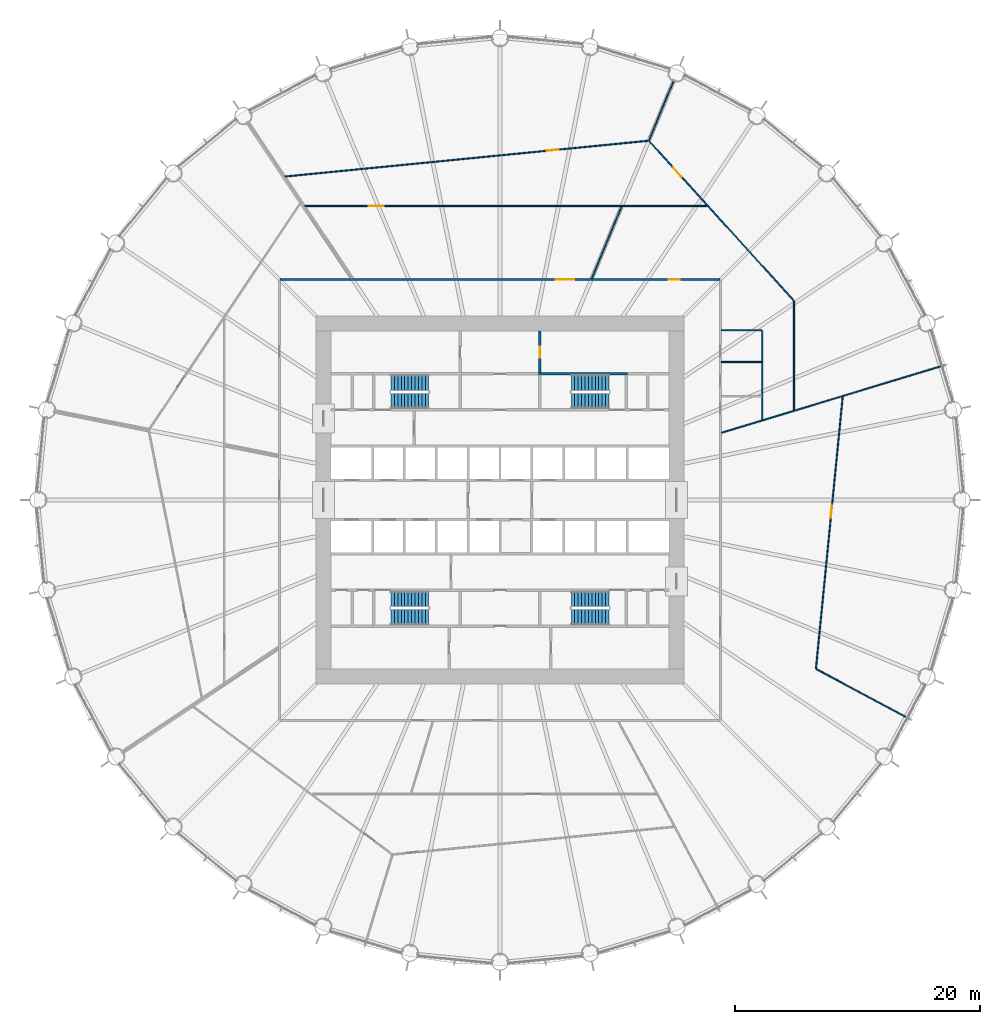
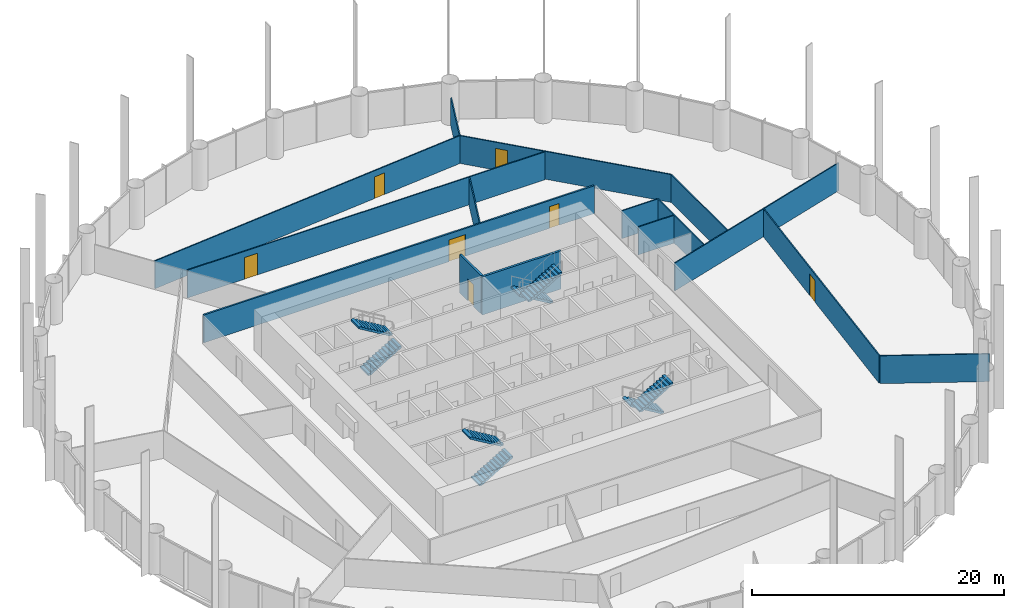
# One storey, part 12 of 14: 15 walls, 8 stair flights, 7 doors, 7 openings, 4 elements without a shape of their own.
"""IFC4 building model written with IfcOpenShell, lengths in metres."""

from ifc_helpers import new_model, si_unit, direction, frame, frame_2d, origin, place, context, subcontext, project, spatial, polyline, rectangle, outline, extrude, material, layer, layer_set, type_object, element, fill, aggregate, save


model = new_model("IFC4")

# Units and contexts
model_context = context("Model", 3, precision=1e-05, world=origin(), true_north=direction((0.0, 1.0)))
body_context = subcontext(model_context, "Body", "Model", "MODEL_VIEW")
ifc_project = project(units=[si_unit("LENGTHUNIT", "METRE"), si_unit("AREAUNIT", "SQUARE_METRE"), si_unit("VOLUMEUNIT", "CUBIC_METRE"), si_unit("PLANEANGLEUNIT", "RADIAN"), si_unit("MASSUNIT", "GRAM", prefix="KILO")], contexts=[model_context])

# Site, building, storey
site_placement = place(None, origin())
site = spatial("IfcSite", under=ifc_project, at=site_placement, CompositionType="ELEMENT")
building_placement = place(site_placement, origin())
building = spatial("IfcBuilding", under=site, at=building_placement, Name="Corvane Civic Tower", CompositionType="ELEMENT")
storey_placement = place(building_placement, frame((0.0, 0.0, 53.0)))
storey = spatial("IfcBuildingStorey", under=building, at=storey_placement, Name="L11", CompositionType="ELEMENT", Elevation=53.0)

# Wall, opening, door
ifc_material_1 = material(Name="Concrete C30/37", Category="concrete")
ifc_layer_1 = layer(ifc_material_1, 0.199951171875)
ifc_layer_set_1 = layer_set([ifc_layer_1], Name="Concrete C30/37")
wall_type_1 = type_object("IfcWallType", Name="CR-WALL-200", PredefinedType="PARTITIONING", material=ifc_layer_set_1)
wall_1_placement = place(storey_placement, frame((3.25, 10.39990234375, 0.0), z_axis=(0.0, 0.0, 1.0), x_axis=(0.0, 1.0, 0.0)))
wall_1 = element("IfcWall", 1, at=wall_1_placement, inside=storey, type_object=wall_type_1, Name="L11 partition wall", PredefinedType="PARTITIONING", context=body_context, shape_type="SweptSolid", body=[
    extrude(rectangle(XDim=3.400146484375, YDim=0.199951171875, at=frame_2d((1.7001953125, 0.0))), origin(), (0.0, 0.0, 1.0), 3.699951171875),
])
opening_1_placement = place(wall_1_placement, frame((1.199951171875, 0.0, 0.0)))
opening_1 = element("IfcOpeningElement", 2, at=opening_1_placement, cuts=wall_1, Name="Opening L11.C06", PredefinedType="OPENING", context=body_context, shape_type="SweptSolid", body=[
    extrude(rectangle(XDim=0.89990234375, YDim=2.10009765625, at=frame_2d((0.449951171875, 1.050048828125))), frame((0.0, 0.10986328125, 0.0), z_axis=(0.0, -1.0, 0.0), x_axis=(1.0, 0.0, 0.0)), (0.0, 0.0, 1.0), 0.219970703125),
])
ifc_material_2 = material(Name="Steel fire door leaf", Category="steel")
door_type_1 = type_object("IfcDoorType", Name="CR-DOOR-900", OperationType="SINGLE_SWING_LEFT", PredefinedType="DOOR", material=ifc_material_2)
door_1_placement = place(opening_1_placement, origin())
door_1 = element("IfcDoor", 3, at=door_1_placement, inside=storey, type_object=door_type_1, Name="L11 door", OperationType="SINGLE_SWING_LEFT", OverallHeight=2.10009765625, OverallWidth=0.89990234375, PredefinedType="DOOR", context=body_context, shape_type="SweptSolid", body=[
    extrude(rectangle(XDim=0.89990234375, YDim=2.10009765625, at=frame_2d((0.449951171875, 1.050048828125))), frame((0.0, 0.02490234375, 0.0), z_axis=(0.0, -1.0, 0.0), x_axis=(1.0, 0.0, 0.0)), (0.0, 0.0, 1.0), 0.050048828125),
])
fill(opening_1, door_1)

# Wall
ifc_material_3 = material(Name="Plasterboard")
ifc_layer_2 = layer(ifc_material_3, 0.10009765625)
ifc_layer_set_2 = layer_set([ifc_layer_2], Name="Plasterboard")
wall_type_2 = type_object("IfcWallType", Name="Partition 100 plasterboard on studs", PredefinedType="PARTITIONING", material=ifc_layer_set_2)
wall_2_placement = place(storey_placement, frame((25.816650390625, -13.79931640625, 0.0), z_axis=(0.0, 0.0, 1.0), x_axis=(0.881917954485, -0.471402929092, 0.0)))
element("IfcWall", 4, at=wall_2_placement, inside=storey, type_object=wall_type_2, Name="Partition L11.011", PredefinedType="PARTITIONING", context=body_context, shape_type="SweptSolid", body=[
    extrude(rectangle(XDim=8.677001953125, YDim=0.10009765625, at=frame_2d((4.33837890625, 0.0))), origin(), (0.0, 0.0, 1.0), 2.699951171875),
])

# Wall, opening, door
wall_3_placement = place(storey_placement, frame((25.790283203125, -13.750244140625, 0.0), z_axis=(0.0, 0.0, 1.0), x_axis=(0.098025320234, 0.995183920988, 0.0)))
wall_3 = element("IfcWall", 5, at=wall_3_placement, inside=storey, type_object=wall_type_2, Name="Partition L11.014", PredefinedType="PARTITIONING", context=body_context, shape_type="SweptSolid", body=[
    extrude(rectangle(XDim=22.270751953125, YDim=0.10009765625, at=frame_2d((11.13525390625, 0.0))), origin(), (0.0, 0.0, 1.0), 2.699951171875),
])
opening_2_placement = place(wall_3_placement, frame((12.360107421875, 0.0, 0.0)))
opening_2 = element("IfcOpeningElement", 6, at=opening_2_placement, cuts=wall_3, Name="Opening L11.009", PredefinedType="OPENING", context=body_context, shape_type="SweptSolid", body=[
    extrude(rectangle(XDim=1.0, YDim=2.10009765625, at=frame_2d((0.5, 1.050048828125))), frame((0.0, 0.06005859375, 0.0), z_axis=(0.0, -1.0, 0.0), x_axis=(1.0, 0.0, 0.0)), (0.0, 0.0, 1.0), 0.1201171875),
])
ifc_material_4 = material(Name="Timber", Category="wood")
door_type_2 = type_object("IfcDoorType", Name="Single door 1000", OperationType="NOTDEFINED", PredefinedType="DOOR", material=ifc_material_4)
door_2_placement = place(opening_2_placement, frame((1.0, 0.0, 0.0), z_axis=(0.0, 0.0, 1.0), x_axis=(-1.0, 0.0, 0.0)))
door_2 = element("IfcDoor", 7, at=door_2_placement, inside=storey, type_object=door_type_2, Name="Door L11.009", OperationType="SINGLE_SWING_RIGHT", OverallHeight=2.10009765625, OverallWidth=1.0, PredefinedType="DOOR", context=body_context, shape_type="SweptSolid", body=[
    extrude(rectangle(XDim=1.0, YDim=2.10009765625, at=frame_2d((0.5, 1.050048828125))), frame((0.0, 0.02490234375, 0.0), z_axis=(0.0, -1.0, 0.0), x_axis=(1.0, 0.0, 0.0)), (0.0, 0.0, 1.0), 0.050048828125),
])
fill(opening_2, door_2)

# Walls
wall_4_placement = place(storey_placement, frame((18.089599609375, 5.4873046875, 0.0), z_axis=(0.0, 0.0, 1.0), x_axis=(0.956939089539, 0.290288785373, 0.0)))
element("IfcWall", 8, at=wall_4_placement, inside=storey, type_object=wall_type_2, Name="Partition L11.016", PredefinedType="PARTITIONING", context=body_context, shape_type="SweptSolid", body=[
    extrude(rectangle(XDim=19.046630859375, YDim=0.10009765625, at=frame_2d((9.5234375, 0.0))), origin(), (0.0, 0.0, 1.0), 2.699951171875),
])
wall_5_placement = place(storey_placement, frame((21.39990234375, 6.55908203125, 0.0), z_axis=(0.0, 0.0, 1.0), x_axis=(0.0, 1.0, 0.0)))
element("IfcWall", 9, at=wall_5_placement, inside=storey, type_object=wall_type_2, Name="Partition L11.019", PredefinedType="PARTITIONING", context=body_context, shape_type="SweptSolid", body=[
    extrude(rectangle(XDim=7.251220703125, YDim=0.10009765625, at=frame_2d((3.62548828125, 0.0))), origin(), (0.0, 0.0, 1.0), 2.699951171875),
])
wall_6_placement = place(storey_placement, frame((24.0, 7.34765625, 0.0), z_axis=(0.0, 0.0, 1.0), x_axis=(0.0, 1.0, 0.0)))
element("IfcWall", 10, at=wall_6_placement, inside=storey, type_object=wall_type_2, Name="Partition L11.020", PredefinedType="PARTITIONING", context=body_context, shape_type="SweptSolid", body=[
    extrude(rectangle(XDim=8.88232421875, YDim=0.10009765625, at=frame_2d((4.441162109375, 0.0))), origin(), (0.0, 0.0, 1.0), 2.699951171875),
])
for number, where, z_axis, x_axis, name in (
    (11, (18.074951171875, 11.26025390625, 0.0), (0.0, 0.0, 1.0), (1.0, 0.0, 0.0), "Partition L11.022"),
    (12, (18.074951171875, 13.860107421875, 0.0), (0.0, 0.0, 1.0), (1.0, 0.0, 0.0), "Partition L11.023"),
):
    element("IfcWall", number, at=place(storey_placement, frame(where, z_axis=z_axis, x_axis=x_axis)), inside=storey, type_object=wall_type_2, Name=name, PredefinedType="PARTITIONING", context=body_context, shape_type="SweptSolid", body=[
        extrude(rectangle(XDim=3.275146484375, YDim=0.10009765625, at=frame_2d((1.6376953125, 0.0))), origin(), (0.0, 0.0, 1.0), 2.699951171875),
    ])

# Wall, opening, door
wall_7_placement = place(storey_placement, frame((12.168701171875, 29.302978515625, 0.0), z_axis=(0.0, 0.0, 1.0), x_axis=(0.67155893735, -0.740951141213, 0.0)))
wall_7 = element("IfcWall", 13, at=wall_7_placement, inside=storey, type_object=wall_type_2, Name="Partition L11.024", PredefinedType="PARTITIONING", context=body_context, shape_type="SweptSolid", body=[
    extrude(rectangle(XDim=17.598388671875, YDim=0.10009765625, at=frame_2d((8.79931640625, 0.0))), origin(), (0.0, 0.0, 1.0), 2.699951171875),
])
opening_3_placement = place(wall_7_placement, frame((2.9453125, 0.0, 0.0)))
opening_3 = element("IfcOpeningElement", 14, at=opening_3_placement, cuts=wall_7, Name="Opening L11.002", PredefinedType="OPENING", context=body_context, shape_type="SweptSolid", body=[
    extrude(rectangle(XDim=1.0, YDim=2.10009765625, at=frame_2d((0.5, 1.050048828125))), frame((0.0, 0.06005859375, 0.0), z_axis=(0.0, -1.0, 0.0), x_axis=(1.0, 0.0, 0.0)), (0.0, 0.0, 1.0), 0.1201171875),
])
door_3_placement = place(opening_3_placement, origin())
door_3 = element("IfcDoor", 15, at=door_3_placement, inside=storey, type_object=door_type_2, Name="Door L11.002", OperationType="SINGLE_SWING_LEFT", OverallHeight=2.10009765625, OverallWidth=1.0, PredefinedType="DOOR", context=body_context, shape_type="SweptSolid", body=[
    extrude(rectangle(XDim=1.0, YDim=2.10009765625, at=frame_2d((0.5, 1.050048828125))), frame((0.0, 0.02490234375, 0.0), z_axis=(0.0, -1.0, 0.0), x_axis=(1.0, 0.0, 0.0)), (0.0, 0.0, 1.0), 0.050048828125),
])
fill(opening_3, door_3)

# Wall
wall_8_placement = place(storey_placement, frame((7.494873046875, 18.093994140625, 0.0), z_axis=(0.0, 0.0, 1.0), x_axis=(0.382682843627, 0.923879776374, 0.0)))
element("IfcWall", 16, at=wall_8_placement, inside=storey, type_object=wall_type_2, Name="Partition L11.026", PredefinedType="PARTITIONING", context=body_context, shape_type="SweptSolid", body=[
    extrude(rectangle(XDim=6.31787109375, YDim=0.10009765625, at=frame_2d((3.158935546875, 0.0))), origin(), (0.0, 0.0, 1.0), 2.699951171875),
])

# Wall, opening, door
wall_9_placement = place(storey_placement, frame((-15.942626953125, 24.0, 0.0), z_axis=(0.0, 0.0, 1.0), x_axis=(1.0, 0.0, 0.0)))
wall_9 = element("IfcWall", 17, at=wall_9_placement, inside=storey, type_object=wall_type_2, Name="Partition L11.028", PredefinedType="PARTITIONING", context=body_context, shape_type="SweptSolid", body=[
    extrude(rectangle(XDim=32.804931640625, YDim=0.10009765625, at=frame_2d((16.40234375, 0.0))), origin(), (0.0, 0.0, 1.0), 2.699951171875),
])
opening_4_placement = place(wall_9_placement, frame((5.2353515625, 0.0, 0.0)))
opening_4 = element("IfcOpeningElement", 18, at=opening_4_placement, cuts=wall_9, Name="Opening L11.003", PredefinedType="OPENING", context=body_context, shape_type="SweptSolid", body=[
    extrude(rectangle(XDim=1.199951171875, YDim=2.10009765625, at=frame_2d((0.60009765625, 1.050048828125))), frame((0.0, 0.06005859375, 0.0), z_axis=(0.0, -1.0, 0.0), x_axis=(1.0, 0.0, 0.0)), (0.0, 0.0, 1.0), 0.1201171875),
])
ifc_material_5 = material(Name="Timber", Category="wood")
door_type_3 = type_object("IfcDoorType", Name="Double door 1200", OperationType="NOTDEFINED", PredefinedType="DOOR", material=ifc_material_5)
door_4_placement = place(opening_4_placement, origin())
door_4 = element("IfcDoor", 19, at=door_4_placement, inside=storey, type_object=door_type_3, Name="Door L11.003", OperationType="DOUBLE_DOOR_SINGLE_SWING", OverallHeight=2.10009765625, OverallWidth=1.199951171875, PredefinedType="DOOR", context=body_context, shape_type="SweptSolid", body=[
    extrude(rectangle(XDim=1.199951171875, YDim=2.10009765625, at=frame_2d((0.60009765625, 1.050048828125))), frame((0.0, 0.02490234375, 0.0), z_axis=(0.0, -1.0, 0.0), x_axis=(1.0, 0.0, 0.0)), (0.0, 0.0, 1.0), 0.050048828125),
])
fill(opening_4, door_4)

wall_10_placement = place(storey_placement, frame((-17.55224609375, 26.401123046875, 0.0), z_axis=(0.0, 0.0, 1.0), x_axis=(0.995184297926, 0.098021493369, 0.0)))
wall_10 = element("IfcWall", 20, at=wall_10_placement, inside=storey, type_object=wall_type_2, Name="Partition L11.029", PredefinedType="PARTITIONING", context=body_context, shape_type="SweptSolid", body=[
    extrude(rectangle(XDim=29.8134765625, YDim=0.10009765625, at=frame_2d((14.90673828125, 0.0))), origin(), (0.0, 0.0, 1.0), 2.699951171875),
])
opening_5_placement = place(wall_10_placement, frame((21.461669921875, 0.0, 0.0)))
opening_5 = element("IfcOpeningElement", 21, at=opening_5_placement, cuts=wall_10, Name="Opening L11.001", PredefinedType="OPENING", context=body_context, shape_type="SweptSolid", body=[
    extrude(rectangle(XDim=1.0, YDim=2.10009765625, at=frame_2d((0.5, 1.050048828125))), frame((0.0, 0.06005859375, 0.0), z_axis=(0.0, -1.0, 0.0), x_axis=(1.0, 0.0, 0.0)), (0.0, 0.0, 1.0), 0.1201171875),
])
door_5_placement = place(opening_5_placement, origin())
door_5 = element("IfcDoor", 22, at=door_5_placement, inside=storey, type_object=door_type_2, Name="Door L11.001", OperationType="SINGLE_SWING_LEFT", OverallHeight=2.10009765625, OverallWidth=1.0, PredefinedType="DOOR", context=body_context, shape_type="SweptSolid", body=[
    extrude(rectangle(XDim=1.0, YDim=2.10009765625, at=frame_2d((0.5, 1.050048828125))), frame((0.0, 0.02490234375, 0.0), z_axis=(0.0, -1.0, 0.0), x_axis=(1.0, 0.0, 0.0)), (0.0, 0.0, 1.0), 0.050048828125),
])
fill(opening_5, door_5)

# Walls
wall_11_placement = place(storey_placement, frame((12.159423828125, 29.355712890625, 0.0), z_axis=(0.0, 0.0, 1.0), x_axis=(0.382710078271, 0.923868494965, 0.0)))
element("IfcWall", 23, at=wall_11_placement, inside=storey, type_object=wall_type_2, Name="Partition L11.030", PredefinedType="PARTITIONING", context=body_context, shape_type="SweptSolid", body=[
    extrude(rectangle(XDim=5.215576171875, YDim=0.10009765625, at=frame_2d((2.60791015625, 0.0))), origin(), (0.0, 0.0, 1.0), 2.699951171875),
])
ifc_material_6 = material(Name="Concrete C50/60", Category="concrete")
ifc_layer_3 = layer(ifc_material_6, 0.199951171875)
ifc_layer_set_3 = layer_set([ifc_layer_3], Name="Concrete C50/60")
wall_type_3 = type_object("IfcWallType", Name="ST-WALL-200", PredefinedType="SHEAR", material=ifc_layer_set_3)
wall_12_placement = place(storey_placement, origin())
element("IfcWall", 24, at=wall_12_placement, inside=storey, type_object=wall_type_3, Name="L11 stair enclosure wall", PredefinedType="SHEAR", context=body_context, shape_type="SweptSolid", body=[
    extrude(outline(polyline([(10.39990234375, 10.199951171875), (3.14990234375, 10.199951171875), (3.14990234375, 10.39990234375), (10.39990234375, 10.39990234375), (10.39990234375, 10.199951171875)])), origin(), (0.0, 0.0, 1.0), 3.699951171875),
])

# Wall, openings, doors
ifc_material_7 = material(Name="Plasterboard")
ifc_layer_4 = layer(ifc_material_7, 0.14990234375)
ifc_layer_set_4 = layer_set([ifc_layer_4], Name="Plasterboard")
wall_type_4 = type_object("IfcWallType", Name="Tenancy wall 150 EI 60", PredefinedType="PARTITIONING", material=ifc_layer_set_4)
wall_13_placement = place(storey_placement, frame((-17.925048828125, 18.0, 0.0), z_axis=(0.0, 0.0, 1.0), x_axis=(1.0, 0.0, 0.0)))
wall_13 = element("IfcWall", 25, at=wall_13_placement, inside=storey, type_object=wall_type_4, Name="Partition L11.025", PredefinedType="PARTITIONING", context=body_context, shape_type="SweptSolid", body=[
    extrude(rectangle(XDim=35.85009765625, YDim=0.14990234375, at=frame_2d((17.925048828125, 0.0))), origin(), (0.0, 0.0, 1.0), 2.699951171875),
])
opening_6_placement = place(wall_13_placement, frame((22.4951171875, 0.0, 0.0)))
opening_6 = element("IfcOpeningElement", 26, at=opening_6_placement, cuts=wall_13, Name="Opening L11.004", PredefinedType="OPENING", context=body_context, shape_type="SweptSolid", body=[
    extrude(rectangle(XDim=1.5, YDim=2.10009765625, at=frame_2d((0.75, 1.050048828125))), frame((0.0, 0.0849609375, 0.0), z_axis=(0.0, -1.0, 0.0), x_axis=(1.0, 0.0, 0.0)), (0.0, 0.0, 1.0), 0.169921875),
])
opening_7_placement = place(wall_13_placement, frame((31.700927734375, 0.0, 0.0)))
opening_7 = element("IfcOpeningElement", 27, at=opening_7_placement, cuts=wall_13, Name="Opening L11.005", PredefinedType="OPENING", context=body_context, shape_type="SweptSolid", body=[
    extrude(rectangle(XDim=0.89990234375, YDim=2.10009765625, at=frame_2d((0.449951171875, 1.050048828125))), frame((0.0, 0.0849609375, 0.0), z_axis=(0.0, -1.0, 0.0), x_axis=(1.0, 0.0, 0.0)), (0.0, 0.0, 1.0), 0.169921875),
])
ifc_material_8 = material(Name="Steel and timber", Category="steel")
door_type_4 = type_object("IfcDoorType", Name="Fire door FD30S 900", OperationType="NOTDEFINED", PredefinedType="DOOR", material=ifc_material_8)
door_6_placement = place(opening_7_placement, origin())
door_6 = element("IfcDoor", 28, at=door_6_placement, inside=storey, type_object=door_type_4, Name="Door L11.005", OperationType="SINGLE_SWING_LEFT", OverallHeight=2.10009765625, OverallWidth=0.89990234375, PredefinedType="DOOR", context=body_context, shape_type="SweptSolid", body=[
    extrude(rectangle(XDim=0.89990234375, YDim=2.10009765625, at=frame_2d((0.449951171875, 1.050048828125))), frame((0.0, 0.02490234375, 0.0), z_axis=(0.0, -1.0, 0.0), x_axis=(1.0, 0.0, 0.0)), (0.0, 0.0, 1.0), 0.050048828125),
])
fill(opening_7, door_6)
ifc_material_9 = material(Name="Steel and timber", Category="steel")
door_type_5 = type_object("IfcDoorType", Name="Fire door FD60 double 1500", OperationType="NOTDEFINED", PredefinedType="DOOR", material=ifc_material_9)
door_7_placement = place(opening_6_placement, origin())
door_7 = element("IfcDoor", 29, at=door_7_placement, inside=storey, type_object=door_type_5, Name="Door L11.004", OperationType="DOUBLE_DOOR_SINGLE_SWING", OverallHeight=2.10009765625, OverallWidth=1.5, PredefinedType="DOOR", context=body_context, shape_type="SweptSolid", body=[
    extrude(rectangle(XDim=1.5, YDim=2.10009765625, at=frame_2d((0.75, 1.050048828125))), frame((0.0, 0.02490234375, 0.0), z_axis=(0.0, -1.0, 0.0), x_axis=(1.0, 0.0, 0.0)), (0.0, 0.0, 1.0), 0.050048828125),
])
fill(opening_6, door_7)

# Stair, stair flights
ifc_material_10 = material(Name="Concrete C40/50", Category="concrete")
stair_type = type_object("IfcStairType", Name="ST-STAIR-HALFTURN", PredefinedType="HALF_TURN_STAIR", material=ifc_material_10)
stair_1_placement = place(storey_placement, origin())
stair_1 = element("IfcStair", 30, at=stair_1_placement, inside=storey, type_object=stair_type, Name="L11 Exit stair ST1", PredefinedType="HALF_TURN_STAIR")
ifc_material_11 = material(Name="Concrete C40/50", Category="concrete")
stair_flight_type = type_object("IfcStairFlightType", Name="ST-FLIGHT-RC", PredefinedType="STRAIGHT", material=ifc_material_11)
stair_flight_1_placement = place(storey_placement, frame((8.89990234375, 9.550048828125, 0.0), z_axis=(0.0, 0.0, 1.0), x_axis=(-1.0, 0.0, 0.0)))
stair_flight_1 = element("IfcStairFlight", 31, at=stair_flight_1_placement, type_object=stair_flight_type, Name="ST1 flight 1", NumberOfRisers=12, NumberOfTreads=11, PredefinedType="STRAIGHT", RiserHeight=0.166666667, TreadLength=0.28, context=body_context, shape_type="SweptSolid", body=[
    extrude(outline(polyline([(0.0, 0.0), (0.0, 0.166748046875), (0.280029296875, 0.166748046875), (0.280029296875, 0.333251953125), (0.56005859375, 0.333251953125), (0.56005859375, 0.5), (0.840087890625, 0.5), (0.840087890625, 0.666748046875), (1.1201171875, 0.666748046875), (1.1201171875, 0.833251953125), (1.39990234375, 0.833251953125), (1.39990234375, 1.0), (1.679931640625, 1.0), (1.679931640625, 1.166748046875), (1.9599609375, 1.166748046875), (1.9599609375, 1.333251953125), (2.239990234375, 1.333251953125), (2.239990234375, 1.5), (2.52001953125, 1.5), (2.52001953125, 1.666748046875), (2.800048828125, 1.666748046875), (2.800048828125, 1.833251953125), (3.080078125, 1.833251953125), (3.080078125, 2.0), (3.080078125, 1.658935546875), (0.29296875, 0.0), (0.0, 0.0)])), frame((0.0, 0.64990234375, 0.0), z_axis=(0.0, -1.0, 0.0), x_axis=(1.0, 0.0, 0.0)), (0.0, 0.0, 1.0), 1.300048828125),
])
stair_flight_2_placement = place(storey_placement, frame((5.820068359375, 8.10009765625, 2.0), z_axis=(0.0, 0.0, 1.0), x_axis=(1.0, 0.0, 0.0)))
stair_flight_2 = element("IfcStairFlight", 32, at=stair_flight_2_placement, type_object=stair_flight_type, Name="ST1 flight 2", NumberOfRisers=12, NumberOfTreads=11, PredefinedType="STRAIGHT", RiserHeight=0.166666667, TreadLength=0.28, context=body_context, shape_type="SweptSolid", body=[
    extrude(outline(polyline([(0.0, 0.0), (0.0, 0.166748046875), (0.280029296875, 0.166748046875), (0.280029296875, 0.333251953125), (0.56005859375, 0.333251953125), (0.56005859375, 0.5), (0.840087890625, 0.5), (0.840087890625, 0.666748046875), (1.1201171875, 0.666748046875), (1.1201171875, 0.833251953125), (1.39990234375, 0.833251953125), (1.39990234375, 1.0), (1.679931640625, 1.0), (1.679931640625, 1.166748046875), (1.9599609375, 1.166748046875), (1.9599609375, 1.333251953125), (2.239990234375, 1.333251953125), (2.239990234375, 1.5), (2.52001953125, 1.5), (2.52001953125, 1.666748046875), (2.800048828125, 1.666748046875), (2.800048828125, 1.833251953125), (3.080078125, 1.833251953125), (3.080078125, 2.0), (3.080078125, 1.658935546875), (0.29296875, 0.0), (0.0, 0.0)])), frame((0.0, 0.64990234375, 0.0), z_axis=(0.0, -1.0, 0.0), x_axis=(1.0, 0.0, 0.0)), (0.0, 0.0, 1.0), 1.300048828125),
])
aggregate(stair_1, [stair_flight_1, stair_flight_2])

stair_2_placement = place(storey_placement, origin())
stair_2 = element("IfcStair", 33, at=stair_2_placement, inside=storey, type_object=stair_type, Name="L11 Exit stair ST2", PredefinedType="HALF_TURN_STAIR")
stair_flight_3_placement = place(storey_placement, frame((8.89990234375, -8.10009765625, 0.0), z_axis=(0.0, 0.0, 1.0), x_axis=(-1.0, 0.0, 0.0)))
stair_flight_3 = element("IfcStairFlight", 34, at=stair_flight_3_placement, type_object=stair_flight_type, Name="ST2 flight 1", NumberOfRisers=12, NumberOfTreads=11, PredefinedType="STRAIGHT", RiserHeight=0.166666667, TreadLength=0.28, context=body_context, shape_type="SweptSolid", body=[
    extrude(outline(polyline([(0.0, 0.0), (0.0, 0.166748046875), (0.280029296875, 0.166748046875), (0.280029296875, 0.333251953125), (0.56005859375, 0.333251953125), (0.56005859375, 0.5), (0.840087890625, 0.5), (0.840087890625, 0.666748046875), (1.1201171875, 0.666748046875), (1.1201171875, 0.833251953125), (1.39990234375, 0.833251953125), (1.39990234375, 1.0), (1.679931640625, 1.0), (1.679931640625, 1.166748046875), (1.9599609375, 1.166748046875), (1.9599609375, 1.333251953125), (2.239990234375, 1.333251953125), (2.239990234375, 1.5), (2.52001953125, 1.5), (2.52001953125, 1.666748046875), (2.800048828125, 1.666748046875), (2.800048828125, 1.833251953125), (3.080078125, 1.833251953125), (3.080078125, 2.0), (3.080078125, 1.658935546875), (0.29296875, 0.0), (0.0, 0.0)])), frame((0.0, 0.64990234375, 0.0), z_axis=(0.0, -1.0, 0.0), x_axis=(1.0, 0.0, 0.0)), (0.0, 0.0, 1.0), 1.300048828125),
])
stair_flight_4_placement = place(storey_placement, frame((5.820068359375, -9.550048828125, 2.0), z_axis=(0.0, 0.0, 1.0), x_axis=(1.0, 0.0, 0.0)))
stair_flight_4 = element("IfcStairFlight", 35, at=stair_flight_4_placement, type_object=stair_flight_type, Name="ST2 flight 2", NumberOfRisers=12, NumberOfTreads=11, PredefinedType="STRAIGHT", RiserHeight=0.166666667, TreadLength=0.28, context=body_context, shape_type="SweptSolid", body=[
    extrude(outline(polyline([(0.0, 0.0), (0.0, 0.166748046875), (0.280029296875, 0.166748046875), (0.280029296875, 0.333251953125), (0.56005859375, 0.333251953125), (0.56005859375, 0.5), (0.840087890625, 0.5), (0.840087890625, 0.666748046875), (1.1201171875, 0.666748046875), (1.1201171875, 0.833251953125), (1.39990234375, 0.833251953125), (1.39990234375, 1.0), (1.679931640625, 1.0), (1.679931640625, 1.166748046875), (1.9599609375, 1.166748046875), (1.9599609375, 1.333251953125), (2.239990234375, 1.333251953125), (2.239990234375, 1.5), (2.52001953125, 1.5), (2.52001953125, 1.666748046875), (2.800048828125, 1.666748046875), (2.800048828125, 1.833251953125), (3.080078125, 1.833251953125), (3.080078125, 2.0), (3.080078125, 1.658935546875), (0.29296875, 0.0), (0.0, 0.0)])), frame((0.0, 0.64990234375, 0.0), z_axis=(0.0, -1.0, 0.0), x_axis=(1.0, 0.0, 0.0)), (0.0, 0.0, 1.0), 1.300048828125),
])
aggregate(stair_2, [stair_flight_3, stair_flight_4])

stair_3_placement = place(storey_placement, origin())
stair_3 = element("IfcStair", 36, at=stair_3_placement, inside=storey, type_object=stair_type, Name="L11 Exit stair ST3", PredefinedType="HALF_TURN_STAIR")
stair_flight_5_placement = place(storey_placement, frame((-8.89990234375, -9.550048828125, 0.0), z_axis=(0.0, 0.0, 1.0), x_axis=(1.0, 0.0, 0.0)))
stair_flight_5 = element("IfcStairFlight", 37, at=stair_flight_5_placement, type_object=stair_flight_type, Name="ST3 flight 1", NumberOfRisers=12, NumberOfTreads=11, PredefinedType="STRAIGHT", RiserHeight=0.166666667, TreadLength=0.28, context=body_context, shape_type="SweptSolid", body=[
    extrude(outline(polyline([(0.0, 0.0), (0.0, 0.166748046875), (0.280029296875, 0.166748046875), (0.280029296875, 0.333251953125), (0.56005859375, 0.333251953125), (0.56005859375, 0.5), (0.840087890625, 0.5), (0.840087890625, 0.666748046875), (1.1201171875, 0.666748046875), (1.1201171875, 0.833251953125), (1.39990234375, 0.833251953125), (1.39990234375, 1.0), (1.679931640625, 1.0), (1.679931640625, 1.166748046875), (1.9599609375, 1.166748046875), (1.9599609375, 1.333251953125), (2.239990234375, 1.333251953125), (2.239990234375, 1.5), (2.52001953125, 1.5), (2.52001953125, 1.666748046875), (2.800048828125, 1.666748046875), (2.800048828125, 1.833251953125), (3.080078125, 1.833251953125), (3.080078125, 2.0), (3.080078125, 1.658935546875), (0.29296875, 0.0), (0.0, 0.0)])), frame((0.0, 0.64990234375, 0.0), z_axis=(0.0, -1.0, 0.0), x_axis=(1.0, 0.0, 0.0)), (0.0, 0.0, 1.0), 1.300048828125),
])
stair_flight_6_placement = place(storey_placement, frame((-5.820068359375, -8.10009765625, 2.0), z_axis=(0.0, 0.0, 1.0), x_axis=(-1.0, 0.0, 0.0)))
stair_flight_6 = element("IfcStairFlight", 38, at=stair_flight_6_placement, type_object=stair_flight_type, Name="ST3 flight 2", NumberOfRisers=12, NumberOfTreads=11, PredefinedType="STRAIGHT", RiserHeight=0.166666667, TreadLength=0.28, context=body_context, shape_type="SweptSolid", body=[
    extrude(outline(polyline([(0.0, 0.0), (0.0, 0.166748046875), (0.280029296875, 0.166748046875), (0.280029296875, 0.333251953125), (0.56005859375, 0.333251953125), (0.56005859375, 0.5), (0.840087890625, 0.5), (0.840087890625, 0.666748046875), (1.1201171875, 0.666748046875), (1.1201171875, 0.833251953125), (1.39990234375, 0.833251953125), (1.39990234375, 1.0), (1.679931640625, 1.0), (1.679931640625, 1.166748046875), (1.9599609375, 1.166748046875), (1.9599609375, 1.333251953125), (2.239990234375, 1.333251953125), (2.239990234375, 1.5), (2.52001953125, 1.5), (2.52001953125, 1.666748046875), (2.800048828125, 1.666748046875), (2.800048828125, 1.833251953125), (3.080078125, 1.833251953125), (3.080078125, 2.0), (3.080078125, 1.658935546875), (0.29296875, 0.0), (0.0, 0.0)])), frame((0.0, 0.64990234375, 0.0), z_axis=(0.0, -1.0, 0.0), x_axis=(1.0, 0.0, 0.0)), (0.0, 0.0, 1.0), 1.300048828125),
])
aggregate(stair_3, [stair_flight_5, stair_flight_6])

stair_4_placement = place(storey_placement, origin())
stair_4 = element("IfcStair", 39, at=stair_4_placement, inside=storey, type_object=stair_type, Name="L11 Exit stair ST4", PredefinedType="HALF_TURN_STAIR")
stair_flight_7_placement = place(storey_placement, frame((-8.89990234375, 8.10009765625, 0.0), z_axis=(0.0, 0.0, 1.0), x_axis=(1.0, 0.0, 0.0)))
stair_flight_7 = element("IfcStairFlight", 40, at=stair_flight_7_placement, type_object=stair_flight_type, Name="ST4 flight 1", NumberOfRisers=12, NumberOfTreads=11, PredefinedType="STRAIGHT", RiserHeight=0.166666667, TreadLength=0.28, context=body_context, shape_type="SweptSolid", body=[
    extrude(outline(polyline([(0.0, 0.0), (0.0, 0.166748046875), (0.280029296875, 0.166748046875), (0.280029296875, 0.333251953125), (0.56005859375, 0.333251953125), (0.56005859375, 0.5), (0.840087890625, 0.5), (0.840087890625, 0.666748046875), (1.1201171875, 0.666748046875), (1.1201171875, 0.833251953125), (1.39990234375, 0.833251953125), (1.39990234375, 1.0), (1.679931640625, 1.0), (1.679931640625, 1.166748046875), (1.9599609375, 1.166748046875), (1.9599609375, 1.333251953125), (2.239990234375, 1.333251953125), (2.239990234375, 1.5), (2.52001953125, 1.5), (2.52001953125, 1.666748046875), (2.800048828125, 1.666748046875), (2.800048828125, 1.833251953125), (3.080078125, 1.833251953125), (3.080078125, 2.0), (3.080078125, 1.658935546875), (0.29296875, 0.0), (0.0, 0.0)])), frame((0.0, 0.64990234375, 0.0), z_axis=(0.0, -1.0, 0.0), x_axis=(1.0, 0.0, 0.0)), (0.0, 0.0, 1.0), 1.300048828125),
])
stair_flight_8_placement = place(storey_placement, frame((-5.820068359375, 9.550048828125, 2.0), z_axis=(0.0, 0.0, 1.0), x_axis=(-1.0, 0.0, 0.0)))
stair_flight_8 = element("IfcStairFlight", 41, at=stair_flight_8_placement, type_object=stair_flight_type, Name="ST4 flight 2", NumberOfRisers=12, NumberOfTreads=11, PredefinedType="STRAIGHT", RiserHeight=0.166666667, TreadLength=0.28, context=body_context, shape_type="SweptSolid", body=[
    extrude(outline(polyline([(0.0, 0.0), (0.0, 0.166748046875), (0.280029296875, 0.166748046875), (0.280029296875, 0.333251953125), (0.56005859375, 0.333251953125), (0.56005859375, 0.5), (0.840087890625, 0.5), (0.840087890625, 0.666748046875), (1.1201171875, 0.666748046875), (1.1201171875, 0.833251953125), (1.39990234375, 0.833251953125), (1.39990234375, 1.0), (1.679931640625, 1.0), (1.679931640625, 1.166748046875), (1.9599609375, 1.166748046875), (1.9599609375, 1.333251953125), (2.239990234375, 1.333251953125), (2.239990234375, 1.5), (2.52001953125, 1.5), (2.52001953125, 1.666748046875), (2.800048828125, 1.666748046875), (2.800048828125, 1.833251953125), (3.080078125, 1.833251953125), (3.080078125, 2.0), (3.080078125, 1.658935546875), (0.29296875, 0.0), (0.0, 0.0)])), frame((0.0, 0.64990234375, 0.0), z_axis=(0.0, -1.0, 0.0), x_axis=(1.0, 0.0, 0.0)), (0.0, 0.0, 1.0), 1.300048828125),
])
aggregate(stair_4, [stair_flight_7, stair_flight_8])

save(model, "model.ifc")
